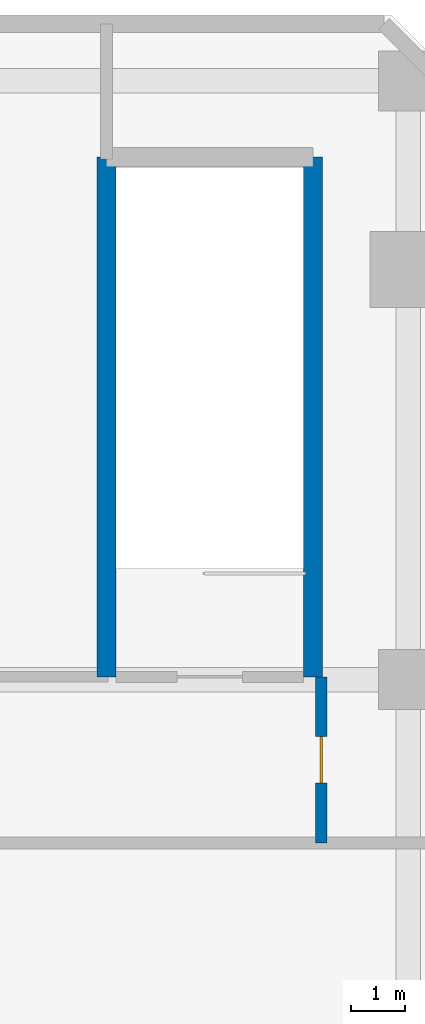
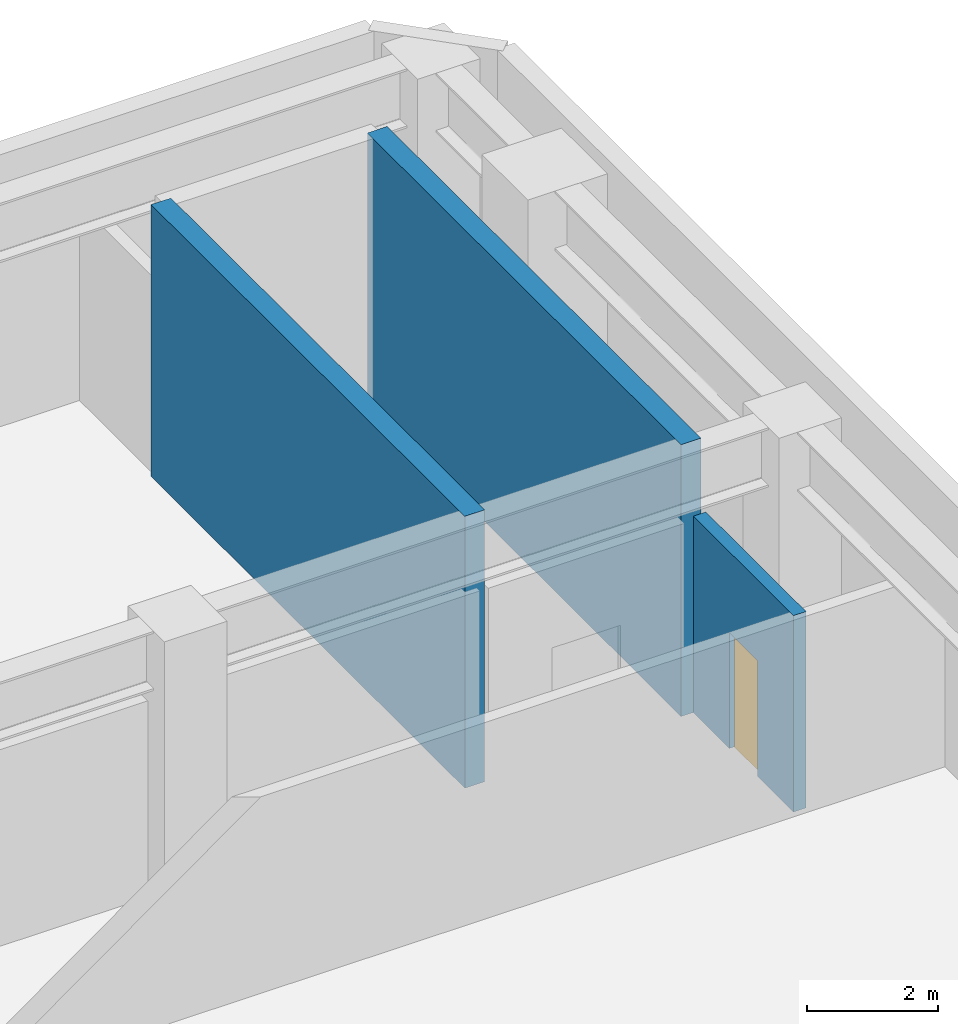
# One storey, part 8 of 12: 3 walls, 1 door, 1 opening.
"""IFC4 building model written with IfcOpenShell, lengths in metres."""

from ifc_helpers import new_model, si_unit, direction, frame, frame_2d, origin, place, context, subcontext, project, spatial, rectangle, extrude, material, layer, layer_set, type_object, element, fill, save


model = new_model("IFC4")

# Units and contexts
model_context = context("Model", 3, precision=1e-05, world=origin(), true_north=direction((0.0, 1.0)))
body_context = subcontext(model_context, "Body", "Model", "MODEL_VIEW")
ifc_project = project(units=[si_unit("LENGTHUNIT", "METRE"), si_unit("AREAUNIT", "SQUARE_METRE"), si_unit("VOLUMEUNIT", "CUBIC_METRE"), si_unit("PLANEANGLEUNIT", "RADIAN"), si_unit("MASSUNIT", "GRAM", prefix="KILO")], contexts=[model_context])

# Site, building, storey
site_placement = place(None, origin())
site = spatial("IfcSite", under=ifc_project, at=site_placement, CompositionType="ELEMENT")
building_placement = place(site_placement, origin())
building = spatial("IfcBuilding", under=site, at=building_placement, Name="Sarneth Arch Tower", CompositionType="ELEMENT")
storey_placement = place(building_placement, frame((0.0, 0.0, 16.800048828125)))
storey = spatial("IfcBuildingStorey", under=building, at=storey_placement, Name="L03", CompositionType="ELEMENT", Elevation=16.800048828125)

# Walls
ifc_material_1 = material(Name="Concrete C50/60", Category="concrete")
ifc_layer_1 = layer(ifc_material_1, 0.35009765625)
ifc_layer_set_1 = layer_set([ifc_layer_1], Name="Concrete C50/60")
wall_type_1 = type_object("IfcWallType", Name="WALL-CORE-350", PredefinedType="SHEAR", material=ifc_layer_set_1)
for number, where, z_axis, x_axis, name in (
    (1, (81.25, 63.85009765625, 0.0), (0.0, 0.0, 1.0), (0.0, 1.0, 0.0), "L03 Podium stair core wall STP2-W"),
    (2, (85.050048828125, 63.85009765625, 0.0), (0.0, 0.0, 1.0), (0.0, 1.0, 0.0), "L03 Podium stair core wall STP2-E"),
):
    element("IfcWall", number, at=place(storey_placement, frame(where, z_axis=z_axis, x_axis=x_axis)), inside=storey, type_object=wall_type_1, Name=name, PredefinedType="SHEAR", context=body_context, shape_type="SweptSolid", body=[
        extrude(rectangle(XDim=9.5498046875, YDim=0.35009765625, at=frame_2d((4.77490234375, 0.0))), origin(), (0.0, 0.0, 1.0), 5.050048828125),
    ])

# Wall, opening, door
ifc_material_2 = material(Name="Aerated concrete blockwork C25/30", Category="masonry")
ifc_layer_2 = layer(ifc_material_2, 0.219970703125)
ifc_layer_set_2 = layer_set([ifc_layer_2], Name="Aerated concrete blockwork C25/30")
wall_type_2 = type_object("IfcWallType", Name="WALL-FIRE-220", PredefinedType="SOLIDWALL", material=ifc_layer_set_2)
wall_placement = place(storey_placement, frame((85.199951171875, 63.85009765625, 0.0), z_axis=(0.0, 0.0, 1.0), x_axis=(0.0, -1.0, 0.0)))
wall = element("IfcWall", 3, at=wall_placement, inside=storey, type_object=wall_type_2, Name="L03 Interior partition W-L03-TP-021", PredefinedType="SOLIDWALL", context=body_context, shape_type="SweptSolid", body=[
    extrude(rectangle(XDim=3.050048828125, YDim=0.219970703125, at=frame_2d((1.52490234375, 0.0))), origin(), (0.0, 0.0, 1.0), 3.64990234375),
])
opening_placement = place(wall_placement, frame((1.10009765625, 0.0, 0.0)))
opening = element("IfcOpeningElement", 4, at=opening_placement, cuts=wall, Name="Opening FD-11", PredefinedType="OPENING", context=body_context, shape_type="SweptSolid", body=[
    extrude(rectangle(XDim=0.85009765625, YDim=2.14990234375, at=frame_2d((0.425048828125, 1.074951171875))), frame((0.0, 0.119873046875, 0.0), z_axis=(0.0, -1.0, 0.0), x_axis=(1.0, 0.0, 0.0)), (0.0, 0.0, 1.0), 0.239990234375),
])
ifc_material_3 = material(Name="Galvanised Steel S275 closet fire door", Category="steel")
door_type = type_object("IfcDoorType", Name="DR-FD60-850", OperationType="SINGLE_SWING_LEFT", PredefinedType="DOOR", material=ifc_material_3)
door_placement = place(opening_placement, origin())
door = element("IfcDoor", 5, at=door_placement, inside=storey, type_object=door_type, Name="L03 Interior door DR-L03-CLSE", OperationType="SINGLE_SWING_LEFT", OverallHeight=2.14990234375, OverallWidth=0.85009765625, PredefinedType="DOOR", context=body_context, shape_type="SweptSolid", body=[
    extrude(rectangle(XDim=0.85009765625, YDim=2.14990234375, at=frame_2d((0.425048828125, 1.074951171875))), frame((0.0, 0.02490234375, 0.0), z_axis=(0.0, -1.0, 0.0), x_axis=(1.0, 0.0, 0.0)), (0.0, 0.0, 1.0), 0.050048828125),
])
fill(opening, door)

save(model, "model.ifc")
